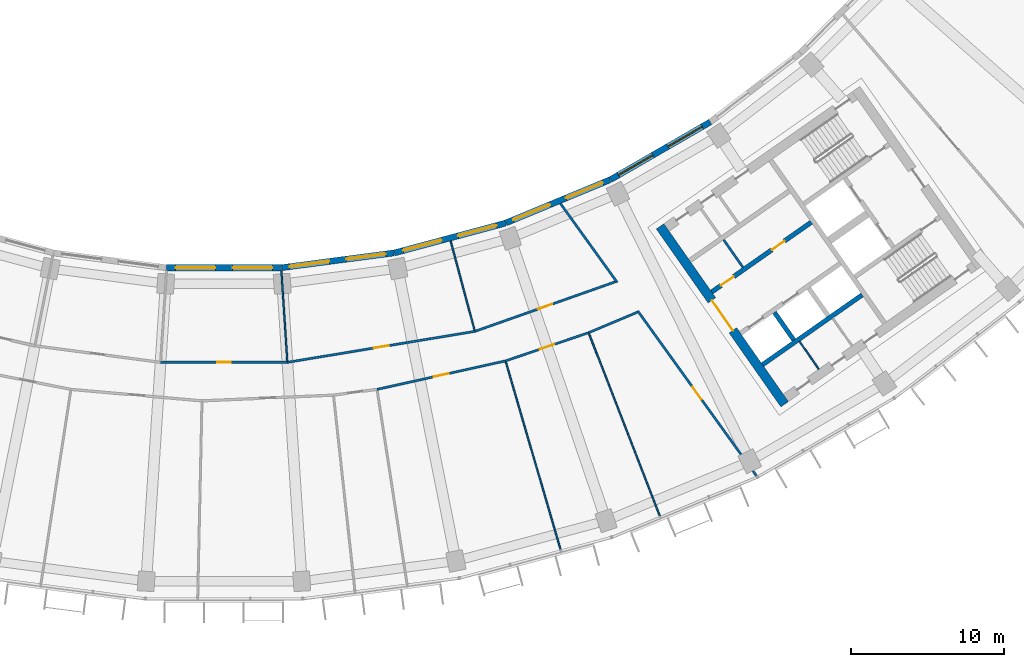
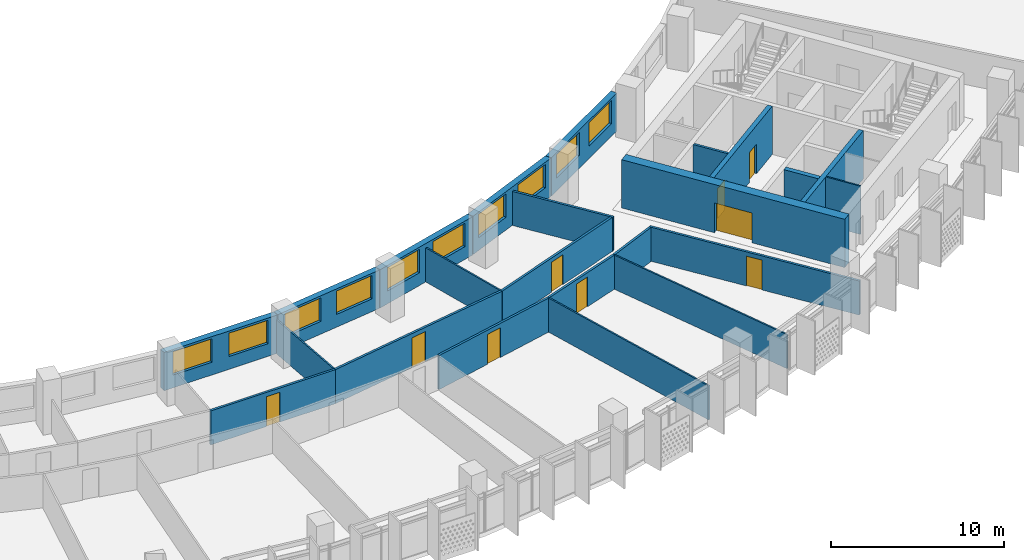
# One storey, part 6 of 27: 23 walls, 10 windows, 9 doors, 19 openings.
"""IFC4 building model written with IfcOpenShell, lengths in metres."""

from ifc_helpers import new_model, si_unit, direction, frame, frame_2d, origin, place, context, subcontext, project, spatial, rectangle, extrude, material, layer, layer_set, type_object, element, fill, save


model = new_model("IFC4")

# Units and contexts
model_context = context("Model", 3, precision=1e-05, world=origin(), true_north=direction((0.0, 1.0)))
body_context = subcontext(model_context, "Body", "Model", "MODEL_VIEW")
ifc_project = project(units=[si_unit("LENGTHUNIT", "METRE"), si_unit("AREAUNIT", "SQUARE_METRE"), si_unit("VOLUMEUNIT", "CUBIC_METRE"), si_unit("PLANEANGLEUNIT", "RADIAN"), si_unit("MASSUNIT", "GRAM", prefix="KILO")], contexts=[model_context])

# Site, building, storey
site_placement = place(None, origin())
site = spatial("IfcSite", under=ifc_project, at=site_placement, CompositionType="ELEMENT")
building_placement = place(site_placement, origin())
building = spatial("IfcBuilding", under=site, at=building_placement, Name="Qamariyya Broadcast Tower", CompositionType="ELEMENT")
storey_placement = place(building_placement, frame((0.0, 0.0, 194.89990234375)))
storey = spatial("IfcBuildingStorey", under=building, at=storey_placement, Name="L46", CompositionType="ELEMENT", Elevation=194.89990234375)

# Wall, opening, door
ifc_material_1 = material(Name="Concrete C60/75", Category="concrete")
ifc_layer_1 = layer(ifc_material_1, 0.60009765625)
ifc_layer_set_1 = layer_set([ifc_layer_1], Name="Core wall 600 mm Concrete C60/75")
wall_type_1 = type_object("IfcWallType", Name="Core wall 600 mm Concrete C60/75", PredefinedType="SHEAR", material=ifc_layer_set_1)
wall_1_placement = place(storey_placement, frame((36.66748046875, -66.005126953125, 0.0), z_axis=(0.0, 0.0, 1.0), x_axis=(-0.573568499524, 0.819157601658, 0.0)))
wall_1 = element("IfcWall", 1, at=wall_1_placement, inside=storey, type_object=wall_type_1, Name="k-E-L46-WA", PredefinedType="SHEAR", context=body_context, shape_type="SweptSolid", body=[
    extrude(rectangle(XDim=14.19970703125, YDim=0.60009765625, at=frame_2d((7.099853515625, 0.0))), origin(), (0.0, 0.0, 1.0), 3.400146484375),
])
opening_1_placement = place(wall_1_placement, frame((5.89990234375, 0.0, 0.0)))
opening_1 = element("IfcOpeningElement", 2, at=opening_1_placement, cuts=wall_1, Name="Opening KD3-E1", PredefinedType="OPENING", context=body_context, shape_type="SweptSolid", body=[
    extrude(rectangle(XDim=2.39990234375, YDim=2.10009765625, at=frame_2d((1.199951171875, 1.050048828125))), frame((0.0, 0.31005859375, 0.0), z_axis=(0.0, -1.0, 0.0), x_axis=(1.0, 0.0, 0.0)), (0.0, 0.0, 1.0), 0.6201171875),
])
ifc_material_2 = material(Name="Steel fire-resisting door leaf", Category="steel")
door_type_1 = type_object("IfcDoorType", Name="Lift lobby door KD3", OperationType="DOUBLE_DOOR_SINGLE_SWING", PredefinedType="DOOR", material=ifc_material_2)
door_1_placement = place(opening_1_placement, origin())
door_1 = element("IfcDoor", 3, at=door_1_placement, inside=storey, type_object=door_type_1, Name="k-E-L46-WA-D1", OperationType="DOUBLE_DOOR_SINGLE_SWING", OverallHeight=2.10009765625, OverallWidth=2.39990234375, PredefinedType="DOOR", context=body_context, shape_type="SweptSolid", body=[
    extrude(rectangle(XDim=2.39990234375, YDim=2.10009765625, at=frame_2d((1.199951171875, 1.050048828125))), frame((0.0, 0.02490234375, 0.0), z_axis=(0.0, -1.0, 0.0), x_axis=(1.0, 0.0, 0.0)), (0.0, 0.0, 1.0), 0.050048828125),
])
fill(opening_1, door_1)

ifc_material_3 = material(Name="Gypsum board partition")
ifc_layer_2 = layer(ifc_material_3, 0.14990234375)
ifc_layer_set_2 = layer_set([ifc_layer_2], Name="Corridor partition 150 EI 60")
wall_type_2 = type_object("IfcWallType", Name="Corridor partition 150 EI 60", PredefinedType="PARTITIONING", material=ifc_layer_set_2)
wall_2_placement = place(storey_placement, frame((-4.146484375, -63.26416015625, 0.0), z_axis=(0.0, 0.0, 1.0), x_axis=(1.0, 0.0, 0.0)))
wall_2 = element("IfcWall", 4, at=wall_2_placement, inside=storey, type_object=wall_type_2, Name="Partition L46-014", PredefinedType="PARTITIONING", context=body_context, shape_type="SweptSolid", body=[
    extrude(rectangle(XDim=8.29296875, YDim=0.14990234375, at=frame_2d((4.146484375, 0.0))), origin(), (0.0, 0.0, 1.0), 2.400146484375),
])
opening_2_placement = place(wall_2_placement, frame((3.696533203125, 0.0, 0.0)))
opening_2 = element("IfcOpeningElement", 5, at=opening_2_placement, cuts=wall_2, Name="Opening L46-D12", PredefinedType="OPENING", context=body_context, shape_type="SweptSolid", body=[
    extrude(rectangle(XDim=0.89990234375, YDim=2.10009765625, at=frame_2d((0.449951171875, 1.050048828125))), frame((0.0, 0.0849609375, 0.0), z_axis=(0.0, -1.0, 0.0), x_axis=(1.0, 0.0, 0.0)), (0.0, 0.0, 1.0), 0.169921875),
])
ifc_material_4 = material(Name="Timber fire door leaf", Category="wood")
door_type_2 = type_object("IfcDoorType", Name="Fire door 900 x 2100 FD60", OperationType="NOTDEFINED", PredefinedType="DOOR", material=ifc_material_4)
door_2_placement = place(opening_2_placement, origin())
door_2 = element("IfcDoor", 6, at=door_2_placement, inside=storey, type_object=door_type_2, Name="Door L46-D12", OperationType="SINGLE_SWING_RIGHT", OverallHeight=2.10009765625, OverallWidth=0.89990234375, PredefinedType="DOOR", context=body_context, shape_type="SweptSolid", body=[
    extrude(rectangle(XDim=0.89990234375, YDim=2.10009765625, at=frame_2d((0.449951171875, 1.050048828125))), frame((0.0, 0.02490234375, 0.0), z_axis=(0.0, -1.0, 0.0), x_axis=(1.0, 0.0, 0.0)), (0.0, 0.0, 1.0), 0.050048828125),
])
fill(opening_2, door_2)

wall_3_placement = place(storey_placement, frame((4.146484375, -63.26416015625, 0.0), z_axis=(0.0, 0.0, 1.0), x_axis=(0.986645467323, 0.162882539919, 0.0)))
wall_3 = element("IfcWall", 7, at=wall_3_placement, inside=storey, type_object=wall_type_2, Name="Partition L46-019", PredefinedType="PARTITIONING", context=body_context, shape_type="SweptSolid", body=[
    extrude(rectangle(XDim=12.4287109375, YDim=0.14990234375, at=frame_2d((6.21435546875, 0.0))), origin(), (0.0, 0.0, 1.0), 2.400146484375),
])
opening_3_placement = place(wall_3_placement, frame((5.71435546875, 0.0, 0.0)))
opening_3 = element("IfcOpeningElement", 8, at=opening_3_placement, cuts=wall_3, Name="Opening L46-D13", PredefinedType="OPENING", context=body_context, shape_type="SweptSolid", body=[
    extrude(rectangle(XDim=1.0, YDim=2.10009765625, at=frame_2d((0.5, 1.050048828125))), frame((0.0, 0.0849609375, 0.0), z_axis=(0.0, -1.0, 0.0), x_axis=(1.0, 0.0, 0.0)), (0.0, 0.0, 1.0), 0.169921875),
])
door_type_3 = type_object("IfcDoorType", Name="Fire door 1000 x 2100 FD60", OperationType="NOTDEFINED", PredefinedType="DOOR", material=ifc_material_4)
door_3_placement = place(opening_3_placement, origin())
door_3 = element("IfcDoor", 9, at=door_3_placement, inside=storey, type_object=door_type_3, Name="Door L46-D13", OperationType="SINGLE_SWING_RIGHT", OverallHeight=2.10009765625, OverallWidth=1.0, PredefinedType="DOOR", context=body_context, shape_type="SweptSolid", body=[
    extrude(rectangle(XDim=1.0, YDim=2.10009765625, at=frame_2d((0.5, 1.050048828125))), frame((0.0, 0.02490234375, 0.0), z_axis=(0.0, -1.0, 0.0), x_axis=(1.0, 0.0, 0.0)), (0.0, 0.0, 1.0), 0.050048828125),
])
fill(opening_3, door_3)

wall_4_placement = place(storey_placement, frame((18.41455078125, -63.170654296875, 0.0), z_axis=(0.0, 0.0, 1.0), x_axis=(-0.976287067192, -0.216479935408, 0.0)))
wall_4 = element("IfcWall", 10, at=wall_4_placement, inside=storey, type_object=wall_type_2, Name="Partition L46-022", PredefinedType="PARTITIONING", context=body_context, shape_type="SweptSolid", body=[
    extrude(rectangle(XDim=8.607177734375, YDim=0.14990234375, at=frame_2d((4.3037109375, 0.0))), origin(), (0.0, 0.0, 1.0), 2.400146484375),
])
opening_4_placement = place(wall_4_placement, frame((3.803466796875, 0.0, 0.0)))
opening_4 = element("IfcOpeningElement", 11, at=opening_4_placement, cuts=wall_4, Name="Opening L46-D06", PredefinedType="OPENING", context=body_context, shape_type="SweptSolid", body=[
    extrude(rectangle(XDim=1.0, YDim=2.10009765625, at=frame_2d((0.5, 1.050048828125))), frame((0.0, 0.0849609375, 0.0), z_axis=(0.0, -1.0, 0.0), x_axis=(1.0, 0.0, 0.0)), (0.0, 0.0, 1.0), 0.169921875),
])
door_4_placement = place(opening_4_placement, origin())
door_4 = element("IfcDoor", 12, at=door_4_placement, inside=storey, type_object=door_type_3, Name="Door L46-D06", OperationType="SINGLE_SWING_RIGHT", OverallHeight=2.10009765625, OverallWidth=1.0, PredefinedType="DOOR", context=body_context, shape_type="SweptSolid", body=[
    extrude(rectangle(XDim=1.0, YDim=2.10009765625, at=frame_2d((0.5, 1.050048828125))), frame((0.0, 0.02490234375, 0.0), z_axis=(0.0, -1.0, 0.0), x_axis=(1.0, 0.0, 0.0)), (0.0, 0.0, 1.0), 0.050048828125),
])
fill(opening_4, door_4)

wall_5_placement = place(storey_placement, frame((16.4091796875, -61.23974609375, 0.0), z_axis=(0.0, 0.0, 1.0), x_axis=(0.942977382292, 0.332856810785, 0.0)))
wall_5 = element("IfcWall", 13, at=wall_5_placement, inside=storey, type_object=wall_type_2, Name="Partition L46-025", PredefinedType="PARTITIONING", context=body_context, shape_type="SweptSolid", body=[
    extrude(rectangle(XDim=9.744873046875, YDim=0.14990234375, at=frame_2d((4.87255859375, 0.0))), origin(), (0.0, 0.0, 1.0), 2.400146484375),
])
opening_5_placement = place(wall_5_placement, frame((4.37255859375, 0.0, 0.0)))
opening_5 = element("IfcOpeningElement", 14, at=opening_5_placement, cuts=wall_5, Name="Opening L46-D14", PredefinedType="OPENING", context=body_context, shape_type="SweptSolid", body=[
    extrude(rectangle(XDim=1.0, YDim=2.10009765625, at=frame_2d((0.5, 1.050048828125))), frame((0.0, 0.0849609375, 0.0), z_axis=(0.0, -1.0, 0.0), x_axis=(1.0, 0.0, 0.0)), (0.0, 0.0, 1.0), 0.169921875),
])
door_5_placement = place(opening_5_placement, origin())
door_5 = element("IfcDoor", 15, at=door_5_placement, inside=storey, type_object=door_type_3, Name="Door L46-D14", OperationType="SINGLE_SWING_RIGHT", OverallHeight=2.10009765625, OverallWidth=1.0, PredefinedType="DOOR", context=body_context, shape_type="SweptSolid", body=[
    extrude(rectangle(XDim=1.0, YDim=2.10009765625, at=frame_2d((0.5, 1.050048828125))), frame((0.0, 0.02490234375, 0.0), z_axis=(0.0, -1.0, 0.0), x_axis=(1.0, 0.0, 0.0)), (0.0, 0.0, 1.0), 0.050048828125),
])
fill(opening_5, door_5)

wall_6_placement = place(storey_placement, frame((23.8466796875, -61.32666015625, 0.0), z_axis=(0.0, 0.0, 1.0), x_axis=(-0.94692828042, -0.32144491245, 0.0)))
wall_6 = element("IfcWall", 16, at=wall_6_placement, inside=storey, type_object=wall_type_2, Name="Partition L46-026", PredefinedType="PARTITIONING", context=body_context, shape_type="SweptSolid", body=[
    extrude(rectangle(XDim=5.736572265625, YDim=0.14990234375, at=frame_2d((2.8681640625, 0.0))), origin(), (0.0, 0.0, 1.0), 2.400146484375),
])
opening_6_placement = place(wall_6_placement, frame((2.368408203125, 0.0, 0.0)))
opening_6 = element("IfcOpeningElement", 17, at=opening_6_placement, cuts=wall_6, Name="Opening L46-D07", PredefinedType="OPENING", context=body_context, shape_type="SweptSolid", body=[
    extrude(rectangle(XDim=1.0, YDim=2.10009765625, at=frame_2d((0.5, 1.050048828125))), frame((0.0, 0.0849609375, 0.0), z_axis=(0.0, -1.0, 0.0), x_axis=(1.0, 0.0, 0.0)), (0.0, 0.0, 1.0), 0.169921875),
])
door_6_placement = place(opening_6_placement, origin())
door_6 = element("IfcDoor", 18, at=door_6_placement, inside=storey, type_object=door_type_3, Name="Door L46-D07", OperationType="SINGLE_SWING_RIGHT", OverallHeight=2.10009765625, OverallWidth=1.0, PredefinedType="DOOR", context=body_context, shape_type="SweptSolid", body=[
    extrude(rectangle(XDim=1.0, YDim=2.10009765625, at=frame_2d((0.5, 1.050048828125))), frame((0.0, 0.02490234375, 0.0), z_axis=(0.0, -1.0, 0.0), x_axis=(1.0, 0.0, 0.0)), (0.0, 0.0, 1.0), 0.050048828125),
])
fill(opening_6, door_6)

# Walls
wall_7_placement = place(storey_placement, frame((22.0, -52.873046875, 0.0), z_axis=(0.0, 0.0, 1.0), x_axis=(0.58417014289, -0.811631224236, 0.0)))
element("IfcWall", 19, at=wall_7_placement, inside=storey, type_object=wall_type_2, Name="Partition L46-027", PredefinedType="PARTITIONING", context=body_context, shape_type="SweptSolid", body=[
    extrude(rectangle(XDim=6.356201171875, YDim=0.14990234375, at=frame_2d((3.17822265625, 0.0))), origin(), (0.0, 0.0, 1.0), 2.400146484375),
])
wall_8_placement = place(storey_placement, frame((23.8466796875, -61.32666015625, 0.0), z_axis=(0.0, 0.0, 1.0), x_axis=(0.921979582273, 0.38723849224, 0.0)))
element("IfcWall", 20, at=wall_8_placement, inside=storey, type_object=wall_type_2, Name="Partition L46-029", PredefinedType="PARTITIONING", context=body_context, shape_type="SweptSolid", body=[
    extrude(rectangle(XDim=3.454345703125, YDim=0.14990234375, at=frame_2d((1.72705078125, 0.0))), origin(), (0.0, 0.0, 1.0), 2.400146484375),
])

# Wall, opening, door
wall_9_placement = place(storey_placement, frame((34.823974609375, -70.690673828125, 0.0), z_axis=(0.0, 0.0, 1.0), x_axis=(-0.584166374063, 0.81163393683, 0.0)))
wall_9 = element("IfcWall", 21, at=wall_9_placement, inside=storey, type_object=wall_type_2, Name="Partition L46-030", PredefinedType="PARTITIONING", context=body_context, shape_type="SweptSolid", body=[
    extrude(rectangle(XDim=13.296142578125, YDim=0.14990234375, at=frame_2d((6.64794921875, 0.0))), origin(), (0.0, 0.0, 1.0), 2.400146484375),
])
opening_7_placement = place(wall_9_placement, frame((6.14794921875, 0.0, 0.0)))
opening_7 = element("IfcOpeningElement", 22, at=opening_7_placement, cuts=wall_9, Name="Opening L46-D08", PredefinedType="OPENING", context=body_context, shape_type="SweptSolid", body=[
    extrude(rectangle(XDim=1.0, YDim=2.10009765625, at=frame_2d((0.5, 1.050048828125))), frame((0.0, 0.0849609375, 0.0), z_axis=(0.0, -1.0, 0.0), x_axis=(1.0, 0.0, 0.0)), (0.0, 0.0, 1.0), 0.169921875),
])
door_7_placement = place(opening_7_placement, origin())
door_7 = element("IfcDoor", 23, at=door_7_placement, inside=storey, type_object=door_type_3, Name="Door L46-D08", OperationType="SINGLE_SWING_RIGHT", OverallHeight=2.10009765625, OverallWidth=1.0, PredefinedType="DOOR", context=body_context, shape_type="SweptSolid", body=[
    extrude(rectangle(XDim=1.0, YDim=2.10009765625, at=frame_2d((0.5, 1.050048828125))), frame((0.0, 0.02490234375, 0.0), z_axis=(0.0, -1.0, 0.0), x_axis=(1.0, 0.0, 0.0)), (0.0, 0.0, 1.0), 0.050048828125),
])
fill(opening_7, door_7)

# Wall
ifc_material_5 = material(Name="Gypsum board partition on steel studs", Category="steel")
ifc_layer_3 = layer(ifc_material_5, 0.14990234375)
ifc_layer_set_3 = layer_set([ifc_layer_3], Name="Gypsum board partition 150 mm")
wall_type_3 = type_object("IfcWallType", Name="Gypsum board partition 150 mm", PredefinedType="PARTITIONING", material=ifc_layer_set_3)
wall_10_placement = place(storey_placement, frame((33.9384765625, -57.051513671875, 0.0), z_axis=(0.0, 0.0, 1.0), x_axis=(-0.573581496053, 0.819148501424, 0.0)))
element("IfcWall", 24, at=wall_10_placement, inside=storey, type_object=wall_type_3, Name="k-E-L46-NC260", PredefinedType="PARTITIONING", context=body_context, shape_type="SweptSolid", body=[
    extrude(rectangle(XDim=2.2001953125, YDim=0.14990234375, at=frame_2d((1.10009765625, 0.0))), origin(), (0.0, 0.0, 1.0), 3.400146484375),
])

# Wall, openings, doors
ifc_layer_4 = layer(ifc_material_1, 0.300048828125)
ifc_layer_set_4 = layer_set([ifc_layer_4], Name="Lift shaft wall 300 mm Concrete C60/75")
wall_type_4 = type_object("IfcWallType", Name="Lift shaft wall 300 mm Concrete C60/75", PredefinedType="SOLIDWALL", material=ifc_layer_set_4)
wall_11_placement = place(storey_placement, frame((31.89453125, -58.66552734375, 0.0), z_axis=(0.0, 0.0, 1.0), x_axis=(0.819166993208, 0.573555086491, 0.0)))
wall_11 = element("IfcWall", 25, at=wall_11_placement, inside=storey, type_object=wall_type_4, Name="k-E-L46-NF0", PredefinedType="SOLIDWALL", context=body_context, shape_type="SweptSolid", body=[
    extrude(rectangle(XDim=7.9501953125, YDim=0.300048828125, at=frame_2d((3.97509765625, 0.0))), origin(), (0.0, 0.0, 1.0), 3.400146484375),
])
opening_8_placement = place(wall_11_placement, frame((0.762451171875, 0.0, 0.0)))
opening_8 = element("IfcOpeningElement", 26, at=opening_8_placement, cuts=wall_11, Name="Opening KD6-E1", PredefinedType="OPENING", context=body_context, shape_type="SweptSolid", body=[
    extrude(rectangle(XDim=1.0, YDim=2.10009765625, at=frame_2d((0.5, 1.050048828125))), frame((0.0, 0.159912109375, 0.0), z_axis=(0.0, -1.0, 0.0), x_axis=(1.0, 0.0, 0.0)), (0.0, 0.0, 1.0), 0.320068359375),
])
opening_9_placement = place(wall_11_placement, frame((4.8125, 0.0, 0.0)))
opening_9 = element("IfcOpeningElement", 27, at=opening_9_placement, cuts=wall_11, Name="Opening KD6-E2", PredefinedType="OPENING", context=body_context, shape_type="SweptSolid", body=[
    extrude(rectangle(XDim=1.0, YDim=2.10009765625, at=frame_2d((0.5, 1.050048828125))), frame((0.0, 0.159912109375, 0.0), z_axis=(0.0, -1.0, 0.0), x_axis=(1.0, 0.0, 0.0)), (0.0, 0.0, 1.0), 0.320068359375),
])
door_type_4 = type_object("IfcDoorType", Name="Core room door KD6", OperationType="SINGLE_SWING_LEFT", PredefinedType="DOOR", material=ifc_material_2)
door_8_placement = place(opening_8_placement, origin())
door_8 = element("IfcDoor", 28, at=door_8_placement, inside=storey, type_object=door_type_4, Name="k-E-L46-NF0-D2", OperationType="SINGLE_SWING_RIGHT", OverallHeight=2.10009765625, OverallWidth=1.0, PredefinedType="DOOR", context=body_context, shape_type="SweptSolid", body=[
    extrude(rectangle(XDim=1.0, YDim=2.10009765625, at=frame_2d((0.5, 1.050048828125))), frame((0.0, 0.02490234375, 0.0), z_axis=(0.0, -1.0, 0.0), x_axis=(1.0, 0.0, 0.0)), (0.0, 0.0, 1.0), 0.050048828125),
])
fill(opening_8, door_8)
door_9_placement = place(opening_9_placement, origin())
door_9 = element("IfcDoor", 29, at=door_9_placement, inside=storey, type_object=door_type_4, Name="k-E-L46-NF0-D3", OperationType="SINGLE_SWING_LEFT", OverallHeight=2.10009765625, OverallWidth=1.0, PredefinedType="DOOR", context=body_context, shape_type="SweptSolid", body=[
    extrude(rectangle(XDim=1.0, YDim=2.10009765625, at=frame_2d((0.5, 1.050048828125))), frame((0.0, 0.02490234375, 0.0), z_axis=(0.0, -1.0, 0.0), x_axis=(1.0, 0.0, 0.0)), (0.0, 0.0, 1.0), 0.050048828125),
])
fill(opening_9, door_9)

# Walls
wall_12_placement = place(storey_placement, frame((35.22119140625, -63.41650390625, 0.0), z_axis=(0.0, 0.0, 1.0), x_axis=(0.819166993208, 0.573555086491, 0.0)))
element("IfcWall", 30, at=wall_12_placement, inside=storey, type_object=wall_type_4, Name="k-E-L46-SB0", PredefinedType="SOLIDWALL", context=body_context, shape_type="SweptSolid", body=[
    extrude(rectangle(XDim=7.9501953125, YDim=0.300048828125, at=frame_2d((3.97509765625, 0.0))), origin(), (0.0, 0.0, 1.0), 3.400146484375),
])
wall_13_placement = place(storey_placement, frame((36.003173828125, -60.000244140625, 0.0), z_axis=(0.0, 0.0, 1.0), x_axis=(0.573581496053, -0.819148501424, 0.0)))
element("IfcWall", 31, at=wall_13_placement, inside=storey, type_object=wall_type_4, Name="k-E-L46-SD0", PredefinedType="SOLIDWALL", context=body_context, shape_type="SweptSolid", body=[
    extrude(rectangle(XDim=2.2001953125, YDim=0.300048828125, at=frame_2d((1.10009765625, 0.0))), origin(), (0.0, 0.0, 1.0), 3.400146484375),
])
ifc_layer_5 = layer(ifc_material_3, 0.10009765625)
ifc_layer_set_5 = layer_set([ifc_layer_5], Name="Partition 100")
wall_type_5 = type_object("IfcWallType", Name="Partition 100", PredefinedType="PARTITIONING", material=ifc_layer_set_5)
wall_14_placement = place(storey_placement, frame((3.754150390625, -57.277099609375, 0.0), z_axis=(0.0, 0.0, 1.0), x_axis=(0.065392214001, -0.997859638601, 0.0)))
element("IfcWall", 32, at=wall_14_placement, inside=storey, type_object=wall_type_5, Name="Partition L46-018", PredefinedType="PARTITIONING", context=body_context, shape_type="SweptSolid", body=[
    extrude(rectangle(XDim=5.925048828125, YDim=0.10009765625, at=frame_2d((2.96240234375, 0.0))), origin(), (0.0, 0.0, 1.0), 2.400146484375),
])
wall_15_placement = place(storey_placement, frame((14.82470703125, -55.326171875, 0.0), z_axis=(0.0, 0.0, 1.0), x_axis=(0.258793263352, -0.965932734119, 0.0)))
element("IfcWall", 33, at=wall_15_placement, inside=storey, type_object=wall_type_5, Name="Partition L46-024", PredefinedType="PARTITIONING", context=body_context, shape_type="SweptSolid", body=[
    extrude(rectangle(XDim=6.047119140625, YDim=0.10009765625, at=frame_2d((3.0234375, 0.0))), origin(), (0.0, 0.0, 1.0), 2.400146484375),
])
wall_16_placement = place(storey_placement, frame((22.010498046875, -75.507080078125, 0.0), z_axis=(0.0, 0.0, 1.0), x_axis=(-0.279843682865, 0.960045578689, 0.0)))
element("IfcWall", 34, at=wall_16_placement, inside=storey, type_object=wall_type_5, Name="Partition L46-028", PredefinedType="PARTITIONING", context=body_context, shape_type="SweptSolid", body=[
    extrude(rectangle(XDim=12.77490234375, YDim=0.10009765625, at=frame_2d((6.387451171875, 0.0))), origin(), (0.0, 0.0, 1.0), 2.400146484375),
])
wall_17_placement = place(storey_placement, frame((28.503662109375, -73.302978515625, 0.0), z_axis=(0.0, 0.0, 1.0), x_axis=(-0.362407525881, 0.932019734332, 0.0)))
element("IfcWall", 35, at=wall_17_placement, inside=storey, type_object=wall_type_5, Name="Partition L46-031", PredefinedType="PARTITIONING", context=body_context, shape_type="SweptSolid", body=[
    extrude(rectangle(XDim=12.774658203125, YDim=0.10009765625, at=frame_2d((6.38720703125, 0.0))), origin(), (0.0, 0.0, 1.0), 2.400146484375),
])
ifc_material_6 = material(Name="Fire-rated gypsum shaft liner on steel studs", Category="steel")
ifc_layer_6 = layer(ifc_material_6, 0.10009765625)
ifc_layer_set_6 = layer_set([ifc_layer_6], Name="Riser wall 100 mm")
wall_type_6 = type_object("IfcWallType", Name="Riser wall 100 mm", PredefinedType="PLUMBINGWALL", material=ifc_layer_set_6)
wall_18_placement = place(storey_placement, frame((37.64208984375, -61.90478515625, 0.0), z_axis=(0.0, 0.0, 1.0), x_axis=(0.573507030513, -0.819200638399, 0.0)))
element("IfcWall", 36, at=wall_18_placement, inside=storey, type_object=wall_type_6, Name="k-E-L46-SP285", PredefinedType="PLUMBINGWALL", context=body_context, shape_type="SweptSolid", body=[
    extrude(rectangle(XDim=2.199951171875, YDim=0.10009765625, at=frame_2d((1.10009765625, 0.0))), origin(), (0.0, 0.0, 1.0), 3.400146484375),
])

# Wall, openings, windows
ifc_material_7 = material(Name="Terracotta", Category="masonry")
ifc_layer_7 = layer(ifc_material_7, 0.39990234375)
ifc_layer_set_7 = layer_set([ifc_layer_7], Name="Terracotta clad wall 400")
wall_type_7 = type_object("IfcWallType", Name="Terracotta clad wall 400", PredefinedType="SOLIDWALL", material=ifc_layer_set_7)
wall_19_placement = place(storey_placement, frame((25.252197265625, -51.32080078125, 0.0), z_axis=(0.0, 0.0, 1.0), x_axis=(-0.923867659443, -0.382712095229, 0.0)))
wall_19 = element("IfcWall", 37, at=wall_19_placement, inside=storey, type_object=wall_type_7, Name="e-wl-L46-in100", PredefinedType="SOLIDWALL", context=body_context, shape_type="SweptSolid", body=[
    extrude(rectangle(XDim=7.380859375, YDim=0.39990234375, at=frame_2d((3.6904296875, 0.0))), origin(), (0.0, 0.0, 1.0), 2.7001953125),
])
opening_10_placement = place(wall_19_placement, frame((4.25439453125, 0.0, 0.89990234375)))
opening_10 = element("IfcOpeningElement", 38, at=opening_10_placement, cuts=wall_19, Name="Opening W1", PredefinedType="OPENING", context=body_context, shape_type="SweptSolid", body=[
    extrude(rectangle(XDim=2.60009765625, YDim=1.64990234375, at=frame_2d((1.300048828125, 0.824951171875))), frame((0.0, 0.2099609375, 0.0), z_axis=(0.0, -1.0, 0.0), x_axis=(1.0, 0.0, 0.0)), (0.0, 0.0, 1.0), 0.419921875),
])
opening_11_placement = place(wall_19_placement, frame((0.5263671875, 0.0, 0.89990234375)))
opening_11 = element("IfcOpeningElement", 39, at=opening_11_placement, cuts=wall_19, Name="Opening W1", PredefinedType="OPENING", context=body_context, shape_type="SweptSolid", body=[
    extrude(rectangle(XDim=2.60009765625, YDim=1.64990234375, at=frame_2d((1.300048828125, 0.824951171875))), frame((0.0, 0.2099609375, 0.0), z_axis=(0.0, -1.0, 0.0), x_axis=(1.0, 0.0, 0.0)), (0.0, 0.0, 1.0), 0.419921875),
])
ifc_material_8 = material(Name="Clear low-e double glazed unit in aluminium frame", Category="aluminium")
window_type = type_object("IfcWindowType", Name="Ribbon window 2600 x 1650", PartitioningType="SINGLE_PANEL", PredefinedType="WINDOW", material=ifc_material_8)
window_1_placement = place(opening_10_placement, origin())
window_1 = element("IfcWindow", 40, at=window_1_placement, inside=storey, type_object=window_type, Name="e-w-L46-in10-0", OverallHeight=1.64990234375, OverallWidth=2.60009765625, PartitioningType="SINGLE_PANEL", PredefinedType="WINDOW", context=body_context, shape_type="SweptSolid", body=[
    extrude(rectangle(XDim=2.60009765625, YDim=1.64990234375, at=frame_2d((1.300048828125, 0.824951171875))), frame((0.0, 0.030029296875, 0.0), z_axis=(0.0, -1.0, 0.0), x_axis=(1.0, 0.0, 0.0)), (0.0, 0.0, 1.0), 0.06005859375),
])
fill(opening_10, window_1)
window_2_placement = place(opening_11_placement, origin())
window_2 = element("IfcWindow", 41, at=window_2_placement, inside=storey, type_object=window_type, Name="e-w-L46-in10-1", OverallHeight=1.64990234375, OverallWidth=2.60009765625, PartitioningType="SINGLE_PANEL", PredefinedType="WINDOW", context=body_context, shape_type="SweptSolid", body=[
    extrude(rectangle(XDim=2.60009765625, YDim=1.64990234375, at=frame_2d((1.300048828125, 0.824951171875))), frame((0.0, 0.030029296875, 0.0), z_axis=(0.0, -1.0, 0.0), x_axis=(1.0, 0.0, 0.0)), (0.0, 0.0, 1.0), 0.06005859375),
])
fill(opening_11, window_2)

wall_20_placement = place(storey_placement, frame((31.800537109375, -47.5478515625, 0.0), z_axis=(0.0, 0.0, 1.0), x_axis=(-0.866028517328, -0.499994607145, 0.0)))
wall_20 = element("IfcWall", 42, at=wall_20_placement, inside=storey, type_object=wall_type_7, Name="e-wl-L46-in110", PredefinedType="SOLIDWALL", context=body_context, shape_type="SweptSolid", body=[
    extrude(rectangle(XDim=7.5322265625, YDim=0.39990234375, at=frame_2d((3.76611328125, 0.0))), origin(), (0.0, 0.0, 1.0), 2.7001953125),
])
opening_12_placement = place(wall_20_placement, frame((4.330078125, 0.0, 0.89990234375)))
opening_12 = element("IfcOpeningElement", 43, at=opening_12_placement, cuts=wall_20, Name="Opening W1", PredefinedType="OPENING", context=body_context, shape_type="SweptSolid", body=[
    extrude(rectangle(XDim=2.60009765625, YDim=1.64990234375, at=frame_2d((1.300048828125, 0.824951171875))), frame((0.0, 0.2099609375, 0.0), z_axis=(0.0, -1.0, 0.0), x_axis=(1.0, 0.0, 0.0)), (0.0, 0.0, 1.0), 0.419921875),
])
opening_13_placement = place(wall_20_placement, frame((0.60205078125, 0.0, 0.89990234375)))
opening_13 = element("IfcOpeningElement", 44, at=opening_13_placement, cuts=wall_20, Name="Opening W1", PredefinedType="OPENING", context=body_context, shape_type="SweptSolid", body=[
    extrude(rectangle(XDim=2.60009765625, YDim=1.64990234375, at=frame_2d((1.300048828125, 0.824951171875))), frame((0.0, 0.2099609375, 0.0), z_axis=(0.0, -1.0, 0.0), x_axis=(1.0, 0.0, 0.0)), (0.0, 0.0, 1.0), 0.419921875),
])
window_3_placement = place(opening_12_placement, origin())
window_3 = element("IfcWindow", 45, at=window_3_placement, inside=storey, type_object=window_type, Name="e-w-L46-in11-0", OverallHeight=1.64990234375, OverallWidth=2.60009765625, PartitioningType="SINGLE_PANEL", PredefinedType="WINDOW", context=body_context, shape_type="SweptSolid", body=[
    extrude(rectangle(XDim=2.60009765625, YDim=1.64990234375, at=frame_2d((1.300048828125, 0.824951171875))), frame((0.0, 0.030029296875, 0.0), z_axis=(0.0, -1.0, 0.0), x_axis=(1.0, 0.0, 0.0)), (0.0, 0.0, 1.0), 0.06005859375),
])
fill(opening_12, window_3)
window_4_placement = place(opening_13_placement, origin())
window_4 = element("IfcWindow", 46, at=window_4_placement, inside=storey, type_object=window_type, Name="e-w-L46-in11-1", OverallHeight=1.64990234375, OverallWidth=2.60009765625, PartitioningType="SINGLE_PANEL", PredefinedType="WINDOW", context=body_context, shape_type="SweptSolid", body=[
    extrude(rectangle(XDim=2.60009765625, YDim=1.64990234375, at=frame_2d((1.300048828125, 0.824951171875))), frame((0.0, 0.030029296875, 0.0), z_axis=(0.0, -1.0, 0.0), x_axis=(1.0, 0.0, 0.0)), (0.0, 0.0, 1.0), 0.06005859375),
])
fill(opening_13, window_4)

wall_21_placement = place(storey_placement, frame((3.76611328125, -57.077880859375, 0.0), z_axis=(0.0, 0.0, 1.0), x_axis=(-1.0, 0.0, 0.0)))
wall_21 = element("IfcWall", 47, at=wall_21_placement, inside=storey, type_object=wall_type_7, Name="e-wl-L46-in70", PredefinedType="SOLIDWALL", context=body_context, shape_type="SweptSolid", body=[
    extrude(rectangle(XDim=7.5322265625, YDim=0.39990234375, at=frame_2d((3.76611328125, 0.0))), origin(), (0.0, 0.0, 1.0), 2.7001953125),
])
opening_14_placement = place(wall_21_placement, frame((4.330078125, 0.0, 0.89990234375)))
opening_14 = element("IfcOpeningElement", 48, at=opening_14_placement, cuts=wall_21, Name="Opening W1", PredefinedType="OPENING", context=body_context, shape_type="SweptSolid", body=[
    extrude(rectangle(XDim=2.60009765625, YDim=1.64990234375, at=frame_2d((1.300048828125, 0.824951171875))), frame((0.0, 0.2099609375, 0.0), z_axis=(0.0, -1.0, 0.0), x_axis=(1.0, 0.0, 0.0)), (0.0, 0.0, 1.0), 0.419921875),
])
opening_15_placement = place(wall_21_placement, frame((0.60205078125, 0.0, 0.89990234375)))
opening_15 = element("IfcOpeningElement", 49, at=opening_15_placement, cuts=wall_21, Name="Opening W1", PredefinedType="OPENING", context=body_context, shape_type="SweptSolid", body=[
    extrude(rectangle(XDim=2.60009765625, YDim=1.64990234375, at=frame_2d((1.300048828125, 0.824951171875))), frame((0.0, 0.2099609375, 0.0), z_axis=(0.0, -1.0, 0.0), x_axis=(1.0, 0.0, 0.0)), (0.0, 0.0, 1.0), 0.419921875),
])
window_5_placement = place(opening_14_placement, origin())
window_5 = element("IfcWindow", 50, at=window_5_placement, inside=storey, type_object=window_type, Name="e-w-L46-in07-0", OverallHeight=1.64990234375, OverallWidth=2.60009765625, PartitioningType="SINGLE_PANEL", PredefinedType="WINDOW", context=body_context, shape_type="SweptSolid", body=[
    extrude(rectangle(XDim=2.60009765625, YDim=1.64990234375, at=frame_2d((1.300048828125, 0.824951171875))), frame((0.0, 0.030029296875, 0.0), z_axis=(0.0, -1.0, 0.0), x_axis=(1.0, 0.0, 0.0)), (0.0, 0.0, 1.0), 0.06005859375),
])
fill(opening_14, window_5)
window_6_placement = place(opening_15_placement, origin())
window_6 = element("IfcWindow", 51, at=window_6_placement, inside=storey, type_object=window_type, Name="e-w-L46-in07-1", OverallHeight=1.64990234375, OverallWidth=2.60009765625, PartitioningType="SINGLE_PANEL", PredefinedType="WINDOW", context=body_context, shape_type="SweptSolid", body=[
    extrude(rectangle(XDim=2.60009765625, YDim=1.64990234375, at=frame_2d((1.300048828125, 0.824951171875))), frame((0.0, 0.030029296875, 0.0), z_axis=(0.0, -1.0, 0.0), x_axis=(1.0, 0.0, 0.0)), (0.0, 0.0, 1.0), 0.06005859375),
])
fill(opening_15, window_6)

wall_22_placement = place(storey_placement, frame((11.10888671875, -56.10791015625, 0.0), z_axis=(0.0, 0.0, 1.0), x_axis=(-0.99144438474, -0.130529812564, 0.0)))
wall_22 = element("IfcWall", 52, at=wall_22_placement, inside=storey, type_object=wall_type_7, Name="e-wl-L46-in80", PredefinedType="SOLIDWALL", context=body_context, shape_type="SweptSolid", body=[
    extrude(rectangle(XDim=7.380615234375, YDim=0.39990234375, at=frame_2d((3.6904296875, 0.0))), origin(), (0.0, 0.0, 1.0), 2.7001953125),
])
opening_16_placement = place(wall_22_placement, frame((4.25439453125, 0.0, 0.89990234375)))
opening_16 = element("IfcOpeningElement", 53, at=opening_16_placement, cuts=wall_22, Name="Opening W1", PredefinedType="OPENING", context=body_context, shape_type="SweptSolid", body=[
    extrude(rectangle(XDim=2.60009765625, YDim=1.64990234375, at=frame_2d((1.300048828125, 0.824951171875))), frame((0.0, 0.2099609375, 0.0), z_axis=(0.0, -1.0, 0.0), x_axis=(1.0, 0.0, 0.0)), (0.0, 0.0, 1.0), 0.419921875),
])
opening_17_placement = place(wall_22_placement, frame((0.5263671875, 0.0, 0.89990234375)))
opening_17 = element("IfcOpeningElement", 54, at=opening_17_placement, cuts=wall_22, Name="Opening W1", PredefinedType="OPENING", context=body_context, shape_type="SweptSolid", body=[
    extrude(rectangle(XDim=2.60009765625, YDim=1.64990234375, at=frame_2d((1.300048828125, 0.824951171875))), frame((0.0, 0.2099609375, 0.0), z_axis=(0.0, -1.0, 0.0), x_axis=(1.0, 0.0, 0.0)), (0.0, 0.0, 1.0), 0.419921875),
])
window_7_placement = place(opening_16_placement, origin())
window_7 = element("IfcWindow", 55, at=window_7_placement, inside=storey, type_object=window_type, Name="e-w-L46-in08-0", OverallHeight=1.64990234375, OverallWidth=2.60009765625, PartitioningType="SINGLE_PANEL", PredefinedType="WINDOW", context=body_context, shape_type="SweptSolid", body=[
    extrude(rectangle(XDim=2.60009765625, YDim=1.64990234375, at=frame_2d((1.300048828125, 0.824951171875))), frame((0.0, 0.030029296875, 0.0), z_axis=(0.0, -1.0, 0.0), x_axis=(1.0, 0.0, 0.0)), (0.0, 0.0, 1.0), 0.06005859375),
])
fill(opening_16, window_7)
window_8_placement = place(opening_17_placement, origin())
window_8 = element("IfcWindow", 56, at=window_8_placement, inside=storey, type_object=window_type, Name="e-w-L46-in08-1", OverallHeight=1.64990234375, OverallWidth=2.60009765625, PartitioningType="SINGLE_PANEL", PredefinedType="WINDOW", context=body_context, shape_type="SweptSolid", body=[
    extrude(rectangle(XDim=2.60009765625, YDim=1.64990234375, at=frame_2d((1.300048828125, 0.824951171875))), frame((0.0, 0.030029296875, 0.0), z_axis=(0.0, -1.0, 0.0), x_axis=(1.0, 0.0, 0.0)), (0.0, 0.0, 1.0), 0.06005859375),
])
fill(opening_17, window_8)

wall_23_placement = place(storey_placement, frame((18.41064453125, -54.158447265625, 0.0), z_axis=(0.0, 0.0, 1.0), x_axis=(-0.965927073219, -0.258814391452, 0.0)))
wall_23 = element("IfcWall", 57, at=wall_23_placement, inside=storey, type_object=wall_type_7, Name="e-wl-L46-in90", PredefinedType="SOLIDWALL", context=body_context, shape_type="SweptSolid", body=[
    extrude(rectangle(XDim=7.5322265625, YDim=0.39990234375, at=frame_2d((3.76611328125, 0.0))), origin(), (0.0, 0.0, 1.0), 2.7001953125),
])
opening_18_placement = place(wall_23_placement, frame((4.330078125, 0.0, 0.89990234375)))
opening_18 = element("IfcOpeningElement", 58, at=opening_18_placement, cuts=wall_23, Name="Opening W1", PredefinedType="OPENING", context=body_context, shape_type="SweptSolid", body=[
    extrude(rectangle(XDim=2.60009765625, YDim=1.64990234375, at=frame_2d((1.300048828125, 0.824951171875))), frame((0.0, 0.2099609375, 0.0), z_axis=(0.0, -1.0, 0.0), x_axis=(1.0, 0.0, 0.0)), (0.0, 0.0, 1.0), 0.419921875),
])
opening_19_placement = place(wall_23_placement, frame((0.60205078125, 0.0, 0.89990234375)))
opening_19 = element("IfcOpeningElement", 59, at=opening_19_placement, cuts=wall_23, Name="Opening W1", PredefinedType="OPENING", context=body_context, shape_type="SweptSolid", body=[
    extrude(rectangle(XDim=2.60009765625, YDim=1.64990234375, at=frame_2d((1.300048828125, 0.824951171875))), frame((0.0, 0.2099609375, 0.0), z_axis=(0.0, -1.0, 0.0), x_axis=(1.0, 0.0, 0.0)), (0.0, 0.0, 1.0), 0.419921875),
])
window_9_placement = place(opening_18_placement, origin())
window_9 = element("IfcWindow", 60, at=window_9_placement, inside=storey, type_object=window_type, Name="e-w-L46-in09-0", OverallHeight=1.64990234375, OverallWidth=2.60009765625, PartitioningType="SINGLE_PANEL", PredefinedType="WINDOW", context=body_context, shape_type="SweptSolid", body=[
    extrude(rectangle(XDim=2.60009765625, YDim=1.64990234375, at=frame_2d((1.300048828125, 0.824951171875))), frame((0.0, 0.030029296875, 0.0), z_axis=(0.0, -1.0, 0.0), x_axis=(1.0, 0.0, 0.0)), (0.0, 0.0, 1.0), 0.06005859375),
])
fill(opening_18, window_9)
window_10_placement = place(opening_19_placement, origin())
window_10 = element("IfcWindow", 61, at=window_10_placement, inside=storey, type_object=window_type, Name="e-w-L46-in09-1", OverallHeight=1.64990234375, OverallWidth=2.60009765625, PartitioningType="SINGLE_PANEL", PredefinedType="WINDOW", context=body_context, shape_type="SweptSolid", body=[
    extrude(rectangle(XDim=2.60009765625, YDim=1.64990234375, at=frame_2d((1.300048828125, 0.824951171875))), frame((0.0, 0.030029296875, 0.0), z_axis=(0.0, -1.0, 0.0), x_axis=(1.0, 0.0, 0.0)), (0.0, 0.0, 1.0), 0.06005859375),
])
fill(opening_19, window_10)

save(model, "model.ifc")
